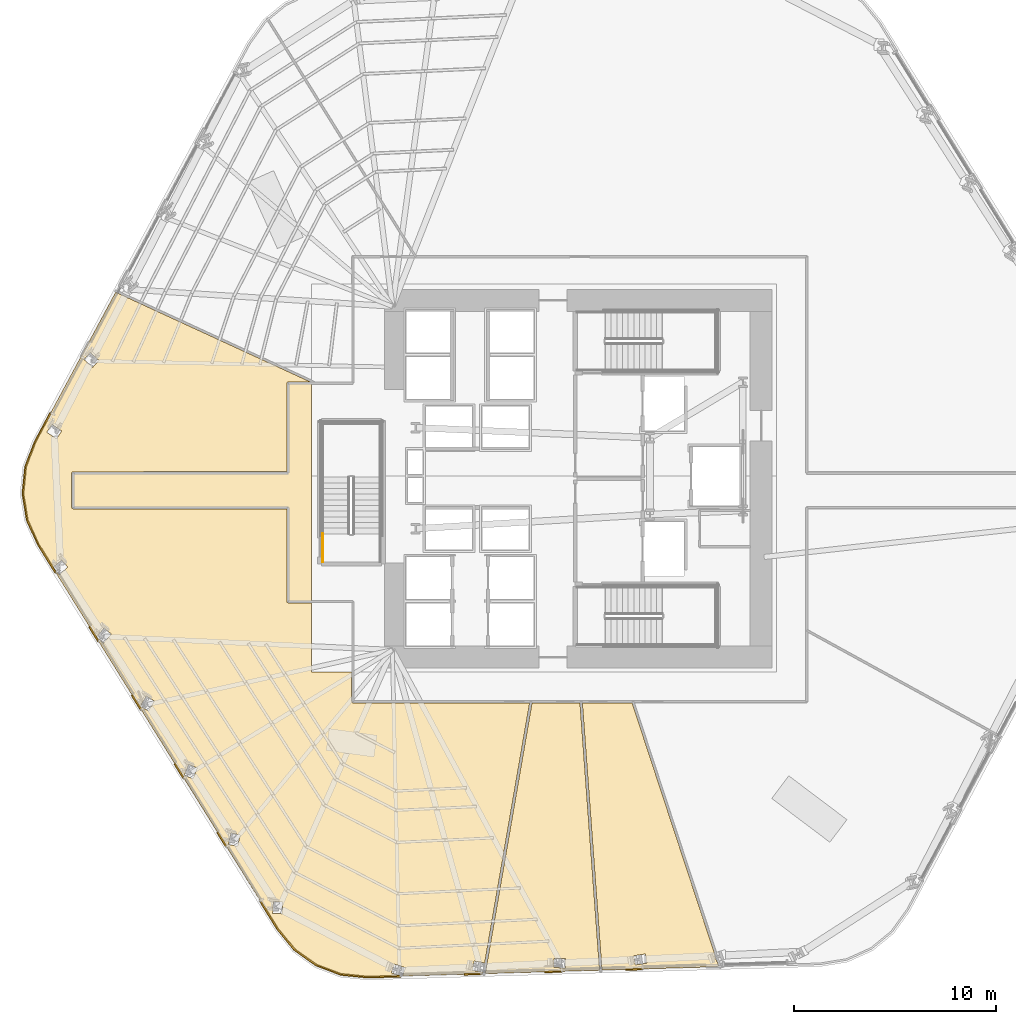
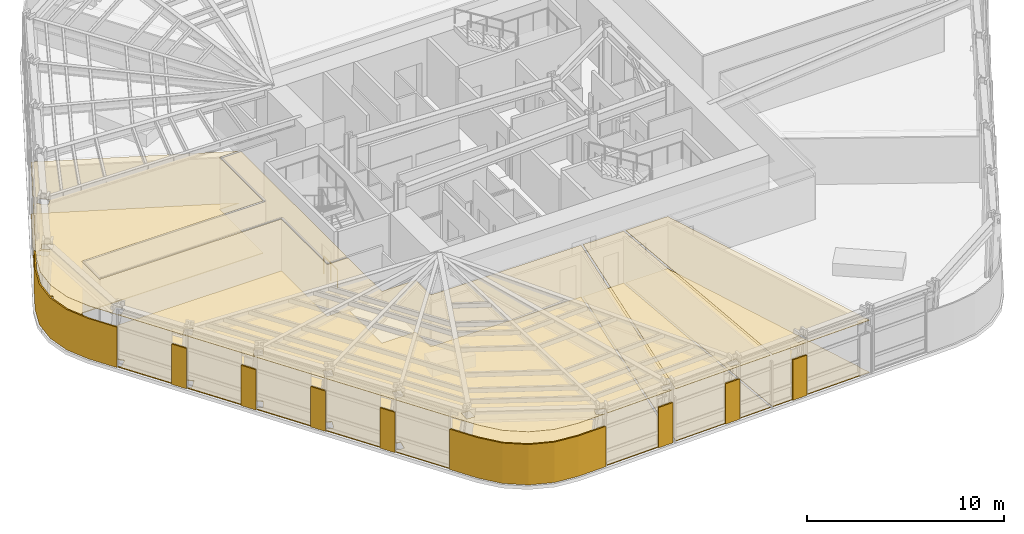
# One storey, part 10 of 15: 16 coverings, 1 railing.
"""IFC4 building model written with IfcOpenShell, lengths in metres."""

from ifc_helpers import new_model, si_unit, direction, frame, origin, origin_2d, place, context, subcontext, project, spatial, polyline, circle, outline, extrude, material, layer, layer_set, type_object, element, save


model = new_model("IFC4")

# Units and contexts
model_context = context("Model", 3, precision=1e-05, world=origin(), true_north=direction((0.0, 1.0)))
body_context = subcontext(model_context, "Body", "Model", "MODEL_VIEW")
ifc_project = project(units=[si_unit("LENGTHUNIT", "METRE"), si_unit("AREAUNIT", "SQUARE_METRE"), si_unit("VOLUMEUNIT", "CUBIC_METRE"), si_unit("PLANEANGLEUNIT", "RADIAN"), si_unit("MASSUNIT", "GRAM", prefix="KILO")], contexts=[model_context])

# Site, building, storey
site_placement = place(None, origin())
site = spatial("IfcSite", under=ifc_project, at=site_placement, CompositionType="ELEMENT")
building_placement = place(site_placement, origin())
building = spatial("IfcBuilding", under=site, at=building_placement, Name="Valkerne Bourse Tower", CompositionType="ELEMENT")
storey_placement = place(building_placement, frame((0.0, 0.0, 31.60009765625)))
storey = spatial("IfcBuildingStorey", under=building, at=storey_placement, Name="L07", CompositionType="ELEMENT", Elevation=31.60009765625)

# Coverings
ifc_material_1 = material(Name="Mineral Fiber Acoustic Ceiling Tile", Category="acoustic")
ifc_layer_1 = layer(ifc_material_1, 0.02490234375)
ifc_layer_set_1 = layer_set([ifc_layer_1], Name="Mineral Fiber Acoustic Ceiling Tile")
covering_type_1 = type_object("IfcCoveringType", Name="COV-CEIL-ACT", PredefinedType="CEILING", material=ifc_layer_set_1)
covering_1_placement = place(storey_placement, frame((0.0, 0.0, 3.22998046875)))
element("IfcCovering", 1, at=covering_1_placement, inside=storey, type_object=covering_type_1, Name="L07 Suspended Ceiling 03", PredefinedType="CEILING", context=body_context, shape_type="SweptSolid", body=[
    extrude(outline(polyline([(46.8837890625, 15.781005859375), (47.855712890625, 2.54931640625), (42.197509765625, 2.381591796875), (44.511962890625, 15.781005859375), (46.8837890625, 15.781005859375)]), holes=[polyline([(46.173095703125, 3.130615234375), (46.16943359375, 3.130859375), (45.595458984375, 3.1376953125), (45.58984375, 2.675048828125), (45.59326171875, 2.6748046875), (46.16748046875, 2.66796875), (46.173095703125, 3.130615234375)])]), origin(), (0.0, 0.0, 1.0), 0.02490234375),
])
covering_2_placement = place(storey_placement, frame((0.0, 0.0, 3.22998046875)))
element("IfcCovering", 2, at=covering_2_placement, inside=storey, type_object=covering_type_1, Name="L07 Suspended Ceiling 04", PredefinedType="CEILING", context=body_context, shape_type="SweptSolid", body=[
    extrude(outline(polyline([(49.46484375, 15.781005859375), (53.536376953125, 3.397216796875), (53.51904296875, 3.3916015625), (53.662353515625, 2.951416015625), (53.665771484375, 2.952392578125), (53.680908203125, 2.95751953125), (53.7578125, 2.72412109375), (47.9736328125, 2.552734375), (47.002197265625, 15.781005859375), (49.46484375, 15.781005859375)]), holes=[polyline([(49.626708984375, 2.8095703125), (50.194091796875, 2.8974609375), (50.123291015625, 3.354736328125), (50.119873046875, 3.354248046875), (49.552490234375, 3.266357421875), (49.623291015625, 2.80908203125), (49.626708984375, 2.8095703125)])]), origin(), (0.0, 0.0, 1.0), 0.02490234375),
])
covering_3_placement = place(storey_placement, frame((0.0, 0.0, 3.22998046875)))
element("IfcCovering", 3, at=covering_3_placement, inside=storey, type_object=covering_type_1, Name="L07 Suspended Ceiling 07", PredefinedType="CEILING", context=body_context, shape_type="SweptSolid", body=[
    extrude(outline(polyline([(33.828369140625, 2.807861328125), (32.756591796875, 3.577880859375), (31.914794921875, 4.6064453125), (20.07666015625, 23.622802734375), (19.52978515625, 24.833984375), (19.316650390625, 26.13623046875), (19.447509765625, 27.44921875), (19.917236328125, 28.6923828125), (23.9072265625, 36.101318359375), (33.53173828125, 31.6689453125), (32.446533203125, 31.6689453125), (32.408203125, 31.6552734375), (32.383056640625, 31.617431640625), (32.381103515625, 27.218994140625), (21.7890625, 27.21826171875), (21.748291015625, 27.196044921875), (21.73095703125, 27.150634765625), (21.73095703125, 25.44970703125), (21.7373046875, 25.4208984375), (21.75341796875, 25.39892578125), (21.79931640625, 25.381103515625), (32.381103515625, 25.381103515625), (32.381103515625, 20.79931640625), (32.39404296875, 20.75927734375), (32.419921875, 20.73779296875), (32.449462890625, 20.73095703125), (33.60009765625, 20.73095703125), (33.60009765625, 17.300048828125), (35.5810546875, 17.300048828125), (35.5810546875, 15.849609375), (35.587890625, 15.820068359375), (35.6083984375, 15.794677734375), (35.6494140625, 15.781005859375), (44.392333984375, 15.781005859375), (42.1689453125, 2.909423828125), (41.64501953125, 3.00146484375), (41.56494140625, 2.545654296875), (41.568603515625, 2.544921875), (42.090087890625, 2.453369140625), (42.0771484375, 2.378173828125), (38.10693359375, 2.260498046875), (38.244873046875, 2.672119140625), (38.2412109375, 2.67333984375), (37.697509765625, 2.855712890625), (37.55029296875, 2.4169921875), (37.5537109375, 2.41552734375), (38.024169921875, 2.258056640625), (36.38525390625, 2.20947265625), (35.062744140625, 2.341552734375), (33.828369140625, 2.807861328125)]), holes=[polyline([(32.17138671875, 5.919921875), (31.71142578125, 5.94580078125), (31.67578125, 5.370849609375), (31.678955078125, 5.36865234375), (32.138916015625, 5.3427734375), (32.174560546875, 5.91748046875), (32.17138671875, 5.919921875)]), polyline([(30.05859375, 9.24755859375), (29.607421875, 9.342041015625), (29.48681640625, 8.778564453125), (29.489501953125, 8.776123046875), (29.940673828125, 8.681640625), (30.061279296875, 9.2451171875), (30.05859375, 9.24755859375)]), polyline([(27.94384765625, 12.5634765625), (27.94189453125, 12.566162109375), (27.51171875, 12.73193359375), (27.302001953125, 12.1953125), (27.30419921875, 12.1923828125), (27.734375, 12.026611328125), (27.94384765625, 12.5634765625)]), polyline([(25.81884765625, 15.87548828125), (25.817138671875, 15.878662109375), (25.420166015625, 16.113037109375), (25.125, 15.618408203125), (25.12646484375, 15.615234375), (25.5234375, 15.380615234375), (25.81884765625, 15.87548828125)]), polyline([(23.6826171875, 19.18896484375), (23.32861328125, 19.484130859375), (22.95751953125, 19.043212890625), (22.958740234375, 19.039794921875), (23.312744140625, 18.74462890625), (23.683837890625, 19.185546875), (23.6826171875, 19.18896484375)]), polyline([(21.539306640625, 22.498046875), (21.538818359375, 22.501708984375), (21.232666015625, 22.84619140625), (20.800048828125, 22.4658203125), (20.800537109375, 22.462158203125), (21.106689453125, 22.11767578125), (21.539306640625, 22.498046875)]), polyline([(21.236328125, 29.239990234375), (20.75439453125, 29.555908203125), (20.5, 29.172119140625), (20.499755859375, 29.168212890625), (20.981689453125, 28.852294921875), (21.236083984375, 29.236328125), (21.236328125, 29.239990234375)]), polyline([(23.077392578125, 32.727783203125), (23.078369140625, 32.7314453125), (22.64892578125, 33.11572265625), (22.340087890625, 32.773681640625), (22.33935546875, 32.770263671875), (22.768798828125, 32.385986328125), (23.077392578125, 32.727783203125)])]), origin(), (0.0, 0.0, 1.0), 0.02490234375),
])
ifc_material_2 = material(Name="Bronze Anodised Aluminium AA 6063-T6", Category="aluminium")
ifc_layer_2 = layer(ifc_material_2, 0.030029296875)
ifc_layer_set_2 = layer_set([ifc_layer_2], Name="Bronze Anodised Aluminium AA 6063-T6")
covering_type_2 = type_object("IfcCoveringType", Name="COV-CEIL-METAL", PredefinedType="CEILING", material=ifc_layer_set_2)
covering_4_placement = place(storey_placement, frame((0.0, 0.0, 3.22998046875)))
element("IfcCovering", 4, at=covering_4_placement, inside=storey, type_object=covering_type_2, Name="L07 Suspended Ceiling 02", PredefinedType="CEILING", context=body_context, shape_type="SweptSolid", body=[
    extrude(outline(polyline([(32.4541015625, 20.803955078125), (32.4541015625, 25.4541015625), (21.803955078125, 25.4541015625), (21.803955078125, 27.14599609375), (32.4541015625, 27.14599609375), (32.4541015625, 31.595947265625), (33.60009765625, 31.595947265625), (33.60009765625, 20.803955078125), (32.4541015625, 20.803955078125)])), origin(), (0.0, 0.0, 1.0), 0.02490234375),
])
ifc_layer_3 = layer(ifc_material_2, 0.06005859375)
ifc_layer_set_3 = layer_set([ifc_layer_3], Name="Bronze Anodised Aluminium AA 6063-T6")
covering_type_3 = type_object("IfcCoveringType", Name="COV-CRN-ALUM", PredefinedType="CLADDING", material=ifc_layer_set_3)
covering_5_placement = place(storey_placement, origin())
element("IfcCovering", 5, at=covering_5_placement, inside=storey, type_object=covering_type_3, Name="L07 Wind-Shaped Corner Aluminium Cladding 03", PredefinedType="CLADDING", context=body_context, shape_type="SweptSolid", body=[
    extrude(outline(polyline([(49.1474609375, 2.54345703125), (49.14501953125, 2.62353515625), (49.984619140625, 2.6484375), (49.987060546875, 2.568359375), (49.1474609375, 2.54345703125)])), origin(), (0.0, 0.0, 1.0), 2.5),
])
covering_6_placement = place(storey_placement, origin())
element("IfcCovering", 6, at=covering_6_placement, inside=storey, type_object=covering_type_3, Name="L07 Wind-Shaped Corner Aluminium Cladding 04", PredefinedType="CLADDING", context=body_context, shape_type="SweptSolid", body=[
    extrude(outline(polyline([(45.1533203125, 2.42529296875), (45.150634765625, 2.505126953125), (45.990234375, 2.530029296875), (45.992919921875, 2.4501953125), (45.1533203125, 2.42529296875)])), origin(), (0.0, 0.0, 1.0), 2.5),
])
covering_7_placement = place(storey_placement, origin())
element("IfcCovering", 7, at=covering_7_placement, inside=storey, type_object=covering_type_3, Name="L07 Wind-Shaped Corner Aluminium Cladding 05", PredefinedType="CLADDING", context=body_context, shape_type="SweptSolid", body=[
    extrude(outline(polyline([(41.15869140625, 2.306884765625), (41.15625, 2.386962890625), (41.99609375, 2.41162109375), (41.99853515625, 2.331787109375), (41.15869140625, 2.306884765625)])), origin(), (0.0, 0.0, 1.0), 2.5),
])
covering_8_placement = place(storey_placement, origin())
element("IfcCovering", 8, at=covering_8_placement, inside=storey, type_object=covering_type_3, Name="L07 Wind-Shaped Corner Aluminium Cladding 06", PredefinedType="CLADDING", context=body_context, shape_type="SweptSolid", body=[
    extrude(outline(polyline([(36.3837890625, 2.165283203125), (35.052490234375, 2.29833984375), (33.807373046875, 2.768798828125), (32.726318359375, 3.545654296875), (31.87890625, 4.580810546875), (31.022216796875, 5.957275390625), (31.090087890625, 5.999267578125), (31.944091796875, 4.62744140625), (32.781494140625, 3.6044921875), (33.845458984375, 2.83984375), (35.071044921875, 2.376953125), (36.38671875, 2.24560546875), (38.001708984375, 2.29345703125), (38.00439453125, 2.21337890625), (36.3837890625, 2.165283203125)])), origin(), (0.0, 0.0, 1.0), 2.5),
])
covering_9_placement = place(storey_placement, origin())
element("IfcCovering", 9, at=covering_9_placement, inside=storey, type_object=covering_type_3, Name="L07 Wind-Shaped Corner Aluminium Cladding 07", PredefinedType="CLADDING", context=body_context, shape_type="SweptSolid", body=[
    extrude(outline(polyline([(28.910400390625, 9.349609375), (28.978515625, 9.3916015625), (29.42236328125, 8.678466796875), (29.354248046875, 8.63623046875), (28.910400390625, 9.349609375)])), origin(), (0.0, 0.0, 1.0), 2.5),
])
covering_10_placement = place(storey_placement, origin())
element("IfcCovering", 10, at=covering_10_placement, inside=storey, type_object=covering_type_3, Name="L07 Wind-Shaped Corner Aluminium Cladding 08", PredefinedType="CLADDING", context=body_context, shape_type="SweptSolid", body=[
    extrude(outline(polyline([(26.798583984375, 12.741943359375), (26.866455078125, 12.783935546875), (27.310546875, 12.07080078125), (27.242431640625, 12.02880859375), (26.798583984375, 12.741943359375)])), origin(), (0.0, 0.0, 1.0), 2.5),
])
covering_11_placement = place(storey_placement, origin())
element("IfcCovering", 11, at=covering_11_placement, inside=storey, type_object=covering_type_3, Name="L07 Wind-Shaped Corner Aluminium Cladding 09", PredefinedType="CLADDING", context=body_context, shape_type="SweptSolid", body=[
    extrude(outline(polyline([(24.686767578125, 16.13427734375), (24.754638671875, 16.176513671875), (25.198486328125, 15.46337890625), (25.130615234375, 15.421142578125), (24.686767578125, 16.13427734375)])), origin(), (0.0, 0.0, 1.0), 2.5),
])
covering_12_placement = place(storey_placement, origin())
element("IfcCovering", 12, at=covering_12_placement, inside=storey, type_object=covering_type_3, Name="L07 Wind-Shaped Corner Aluminium Cladding 10", PredefinedType="CLADDING", context=body_context, shape_type="SweptSolid", body=[
    extrude(outline(polyline([(22.574951171875, 19.526611328125), (22.642822265625, 19.56884765625), (23.0869140625, 18.855712890625), (23.018798828125, 18.8134765625), (22.574951171875, 19.526611328125)])), origin(), (0.0, 0.0, 1.0), 2.5),
])
covering_13_placement = place(storey_placement, origin())
element("IfcCovering", 13, at=covering_13_placement, inside=storey, type_object=covering_type_3, Name="L07 Wind-Shaped Corner Aluminium Cladding 11", PredefinedType="CLADDING", context=body_context, shape_type="SweptSolid", body=[
    extrude(outline(polyline([(20.037841796875, 23.60205078125), (19.4873046875, 24.8212890625), (19.272216796875, 26.135009765625), (19.404296875, 27.45947265625), (19.877197265625, 28.710693359375), (20.656982421875, 30.15869140625), (20.7275390625, 30.12109375), (19.9501953125, 28.677490234375), (19.48291015625, 27.44091796875), (19.352783203125, 26.137451171875), (19.564697265625, 24.844482421875), (20.1083984375, 23.639892578125), (20.97509765625, 22.248046875), (20.906982421875, 22.205810546875), (20.037841796875, 23.60205078125)])), origin(), (0.0, 0.0, 1.0), 2.5),
])
ifc_material_3 = material(Name="Galvanised Painted Steel", Category="steel")
ifc_layer_4 = layer(ifc_material_3, 0.044921875)
ifc_layer_set_4 = layer_set([ifc_layer_4], Name="Galvanised Painted Steel")
covering_type_4 = type_object("IfcCoveringType", Name="COV-FLR-RAF", PredefinedType="FLOORING", material=ifc_layer_set_4)
covering_14_placement = place(storey_placement, origin())
element("IfcCovering", 14, at=covering_14_placement, inside=storey, type_object=covering_type_4, Name="L07 Floor Finish 07", PredefinedType="FLOORING", context=body_context, shape_type="SweptSolid", body=[
    extrude(outline(polyline([(33.828369140625, 2.807861328125), (32.756591796875, 3.577880859375), (31.914794921875, 4.6064453125), (20.07666015625, 23.622802734375), (19.52978515625, 24.833984375), (19.316650390625, 26.13623046875), (19.447509765625, 27.44921875), (19.917236328125, 28.6923828125), (23.9072265625, 36.101318359375), (33.53173828125, 31.6689453125), (32.446533203125, 31.6689453125), (32.408203125, 31.6552734375), (32.383056640625, 31.617431640625), (32.381103515625, 27.218994140625), (21.7890625, 27.21826171875), (21.748291015625, 27.196044921875), (21.73095703125, 27.150634765625), (21.73095703125, 25.44970703125), (21.7373046875, 25.4208984375), (21.75341796875, 25.39892578125), (21.79931640625, 25.381103515625), (32.381103515625, 25.381103515625), (32.381103515625, 20.79931640625), (32.39404296875, 20.75927734375), (32.419921875, 20.73779296875), (32.449462890625, 20.73095703125), (33.60009765625, 20.73095703125), (33.60009765625, 17.300048828125), (35.5810546875, 17.300048828125), (35.5810546875, 15.849609375), (35.587890625, 15.820068359375), (35.6083984375, 15.794677734375), (35.6494140625, 15.781005859375), (44.392333984375, 15.781005859375), (42.1689453125, 2.909423828125), (41.64501953125, 3.00146484375), (41.56494140625, 2.545654296875), (41.568603515625, 2.544921875), (42.090087890625, 2.453369140625), (42.0771484375, 2.378173828125), (38.10693359375, 2.260498046875), (38.244873046875, 2.672119140625), (38.2412109375, 2.67333984375), (37.697509765625, 2.855712890625), (37.55029296875, 2.4169921875), (37.5537109375, 2.41552734375), (38.024169921875, 2.258056640625), (36.38525390625, 2.20947265625), (35.062744140625, 2.341552734375), (33.828369140625, 2.807861328125)]), holes=[polyline([(32.17138671875, 5.919921875), (31.71142578125, 5.94580078125), (31.67578125, 5.370849609375), (31.678955078125, 5.36865234375), (32.138916015625, 5.3427734375), (32.174560546875, 5.91748046875), (32.17138671875, 5.919921875)]), polyline([(30.05859375, 9.24755859375), (29.607421875, 9.342041015625), (29.48681640625, 8.778564453125), (29.489501953125, 8.776123046875), (29.940673828125, 8.681640625), (30.061279296875, 9.2451171875), (30.05859375, 9.24755859375)]), polyline([(27.94384765625, 12.5634765625), (27.94189453125, 12.566162109375), (27.51171875, 12.73193359375), (27.302001953125, 12.1953125), (27.30419921875, 12.1923828125), (27.734375, 12.026611328125), (27.94384765625, 12.5634765625)]), polyline([(25.81884765625, 15.87548828125), (25.817138671875, 15.878662109375), (25.420166015625, 16.113037109375), (25.125, 15.618408203125), (25.12646484375, 15.615234375), (25.5234375, 15.380615234375), (25.81884765625, 15.87548828125)]), polyline([(23.6826171875, 19.18896484375), (23.32861328125, 19.484130859375), (22.95751953125, 19.043212890625), (22.958740234375, 19.039794921875), (23.312744140625, 18.74462890625), (23.683837890625, 19.185546875), (23.6826171875, 19.18896484375)]), polyline([(21.539306640625, 22.498046875), (21.538818359375, 22.501708984375), (21.232666015625, 22.84619140625), (20.800048828125, 22.4658203125), (20.800537109375, 22.462158203125), (21.106689453125, 22.11767578125), (21.539306640625, 22.498046875)]), polyline([(21.236328125, 29.239990234375), (20.75439453125, 29.555908203125), (20.5, 29.172119140625), (20.499755859375, 29.168212890625), (20.981689453125, 28.852294921875), (21.236083984375, 29.236328125), (21.236328125, 29.239990234375)]), polyline([(23.077392578125, 32.727783203125), (23.078369140625, 32.7314453125), (22.64892578125, 33.11572265625), (22.340087890625, 32.773681640625), (22.33935546875, 32.770263671875), (22.768798828125, 32.385986328125), (23.077392578125, 32.727783203125)])]), origin(), (0.0, 0.0, 1.0), 0.044921875),
])
ifc_material_4 = material(Name="Polished Granite Stone", Category="masonry")
ifc_layer_5 = layer(ifc_material_4, 0.030029296875)
ifc_layer_set_5 = layer_set([ifc_layer_5], Name="Polished Granite Stone")
covering_type_5 = type_object("IfcCoveringType", Name="COV-FLR-TERRAZZO", PredefinedType="FLOORING", material=ifc_layer_set_5)
covering_15_placement = place(storey_placement, origin())
element("IfcCovering", 15, at=covering_15_placement, inside=storey, type_object=covering_type_5, Name="L07 Floor Finish 03", PredefinedType="FLOORING", context=body_context, shape_type="SweptSolid", body=[
    extrude(outline(polyline([(46.8837890625, 15.781005859375), (47.855712890625, 2.54931640625), (42.197509765625, 2.381591796875), (44.511962890625, 15.781005859375), (46.8837890625, 15.781005859375)]), holes=[polyline([(46.173095703125, 3.130615234375), (46.16943359375, 3.130859375), (45.595458984375, 3.1376953125), (45.58984375, 2.675048828125), (45.59326171875, 2.6748046875), (46.16748046875, 2.66796875), (46.173095703125, 3.130615234375)])]), origin(), (0.0, 0.0, 1.0), 0.02978515625),
])
covering_16_placement = place(storey_placement, origin())
element("IfcCovering", 16, at=covering_16_placement, inside=storey, type_object=covering_type_5, Name="L07 Floor Finish 04", PredefinedType="FLOORING", context=body_context, shape_type="SweptSolid", body=[
    extrude(outline(polyline([(49.46484375, 15.781005859375), (53.536376953125, 3.397216796875), (53.51904296875, 3.3916015625), (53.662353515625, 2.951416015625), (53.665771484375, 2.952392578125), (53.680908203125, 2.95751953125), (53.7578125, 2.72412109375), (47.9736328125, 2.552734375), (47.002197265625, 15.781005859375), (49.46484375, 15.781005859375)]), holes=[polyline([(49.626708984375, 2.8095703125), (50.194091796875, 2.8974609375), (50.123291015625, 3.354736328125), (50.119873046875, 3.354248046875), (49.552490234375, 3.266357421875), (49.623291015625, 2.80908203125), (49.626708984375, 2.8095703125)])]), origin(), (0.0, 0.0, 1.0), 0.02978515625),
])

# Railing
railing_type = type_object("IfcRailingType", Name="RLG-ST-GUARD-1120", PredefinedType="GUARDRAIL", material=ifc_material_3)
railing_placement = place(storey_placement, frame((34.14990234375, 22.75, 0.0)))
element("IfcRailing", 17, at=railing_placement, inside=storey, type_object=railing_type, Name="L07 ST-3 stair guard 9", PredefinedType="GUARDRAIL", context=body_context, shape_type="SweptSolid", body=[
    extrude(circle(Radius=0.02392578125, at=origin_2d()), frame((0.0, 0.0, 1.09619140625), z_axis=(0.0, 1.0, 0.0), x_axis=(-1.0, 0.0, 0.0)), (0.0, 0.0, 1.0), 1.39990234375),
    extrude(circle(Radius=0.02099609375, at=origin_2d()), origin(), (0.0, 0.0, 1.0), 1.072021484375),
    extrude(circle(Radius=0.02099609375, at=origin_2d()), frame((0.0, 0.699951171875, 0.0)), (0.0, 0.0, 1.0), 1.072021484375),
    extrude(circle(Radius=0.02099609375, at=origin_2d()), frame((0.0, 1.39990234375, 0.0)), (0.0, 0.0, 1.0), 1.072021484375),
])

save(model, "model.ifc")
